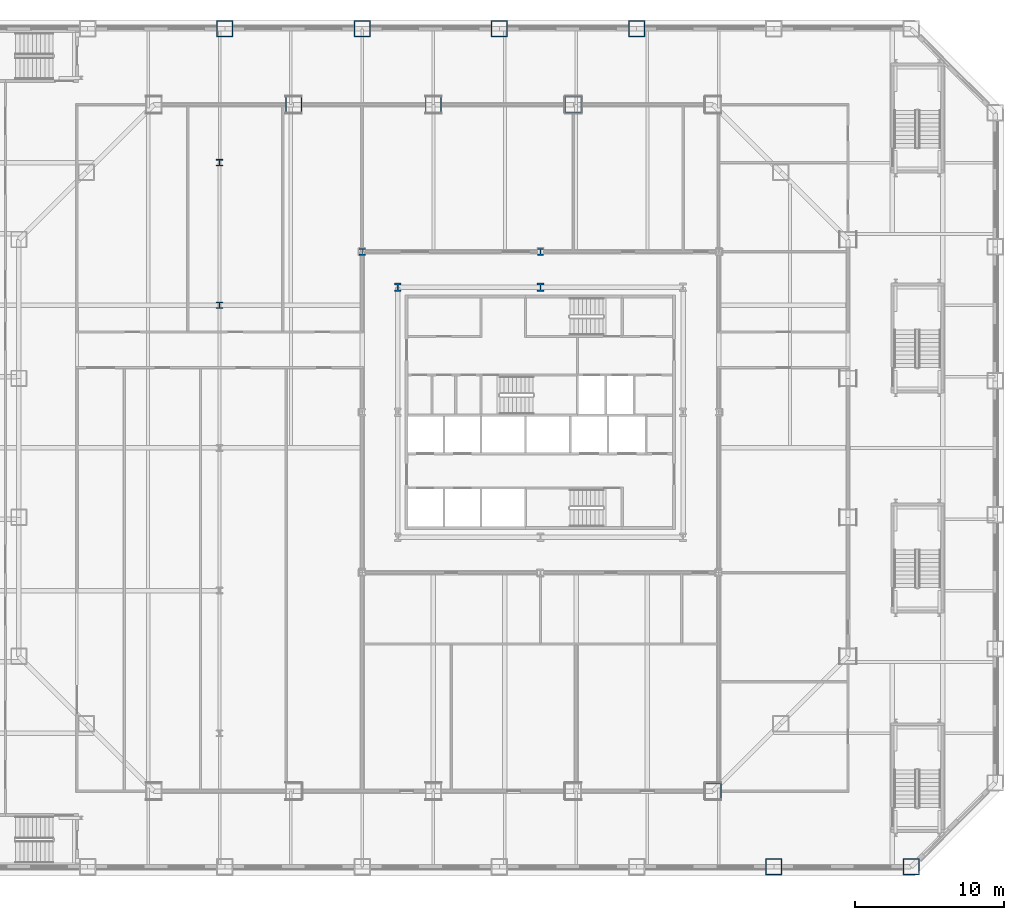
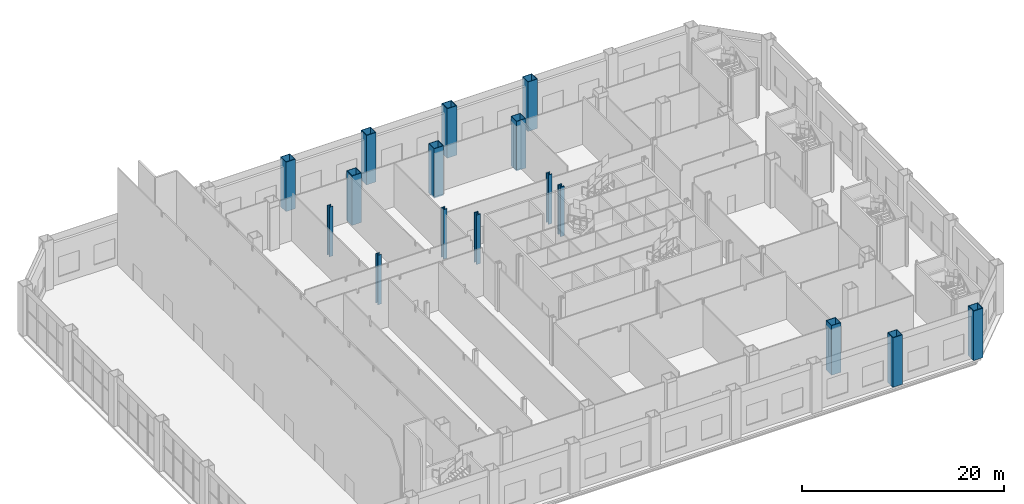
# One storey, part 4 of 31: 16 columns.
"""IFC4 building model written with IfcOpenShell, lengths in metres."""

from ifc_helpers import new_model, si_unit, direction, frame, origin, origin_2d, place, context, subcontext, project, spatial, hollow_rectangle, i_section, extrude, material, material_profile, profile_set, type_object, element, save


model = new_model("IFC4")

# Units and contexts
model_context = context("Model", 3, precision=1e-05, world=origin(), true_north=direction((0.0, 1.0)))
body_context = subcontext(model_context, "Body", "Model", "MODEL_VIEW")
ifc_project = project(units=[si_unit("LENGTHUNIT", "METRE"), si_unit("AREAUNIT", "SQUARE_METRE"), si_unit("VOLUMEUNIT", "CUBIC_METRE"), si_unit("PLANEANGLEUNIT", "RADIAN"), si_unit("MASSUNIT", "GRAM", prefix="KILO")], contexts=[model_context])

# Site, building, storey
site_placement = place(None, origin())
site = spatial("IfcSite", under=ifc_project, at=site_placement, CompositionType="ELEMENT")
building_placement = place(site_placement, origin())
building = spatial("IfcBuilding", under=site, at=building_placement, Name="Cairn Pilgrim Tower", CompositionType="ELEMENT")
storey_placement = place(building_placement, frame((0.0, 0.0, 9.0)))
storey = spatial("IfcBuildingStorey", under=building, at=storey_placement, Name="L01", CompositionType="ELEMENT", Elevation=9.0)

# Columns
ifc_material = material(Name="Structural steel S460M", Category="steel")
ifc_material_profile_1 = material_profile(ifc_material, hollow_rectangle(XDim=1.10009765625, YDim=1.10009765625, WallThickness=0.06005859375, at=origin_2d()), Name="BOX 1100x1100x60")
ifc_profile_set_1 = profile_set([ifc_material_profile_1], Name="Structural steel S460M")
column_type_1 = type_object("IfcColumnType", Name="BOX 1100x1100x60", PredefinedType="COLUMN", material=ifc_profile_set_1)
for number, where, z_axis, x_axis, name in (
    (1, (18.8271484375, -23.10009765625, -0.199951171875), (0.0, 0.0, 1.0), (1.0, 0.0, 0.0), "PC1-SE1"),
    (2, (9.41357421875, 23.10009765625, -0.199951171875), (0.0, 0.0, 1.0), (1.0, 0.0, 0.0), "PC1-N2"),
    (3, (0.0, 23.10009765625, -0.199951171875), (0.0, 0.0, 1.0), (1.0, 0.0, 0.0), "PC1-N3"),
    (4, (-9.41357421875, 23.10009765625, -0.199951171875), (0.0, 0.0, 1.0), (1.0, 0.0, 0.0), "PC1-N4"),
):
    element("IfcColumn", number, at=place(storey_placement, frame(where, z_axis=z_axis, x_axis=x_axis)), inside=storey, type_object=column_type_1, Name=name, PredefinedType="COLUMN", context=body_context, shape_type="SweptSolid", body=[
        extrude(hollow_rectangle(XDim=1.10009765625, YDim=1.10009765625, WallThickness=0.06005859375, at=origin_2d()), origin(), (0.0, 0.0, 1.0), 6.0),
    ])
ifc_material_profile_2 = material_profile(ifc_material, i_section(OverallWidth=0.4541015625, OverallDepth=0.569091796875, WebThickness=0.077880859375, FlangeThickness=0.125, FilletRadius=0.014892578125, at=origin_2d()), Name="HD 400x1086")
ifc_profile_set_2 = profile_set([ifc_material_profile_2], Name="Structural steel S460M")
column_type_2 = type_object("IfcColumnType", Name="HD 400x1086", PredefinedType="COLUMN", material=ifc_profile_set_2)
for number, where, z_axis, x_axis, name in (
    (5, (-2.39990234375, 10.800048828125, -0.199951171875), (0.0, 0.0, 1.0), (1.0, 0.0, 0.0), "KC-6"),
    (6, (7.199951171875, 10.800048828125, -0.199951171875), (0.0, 0.0, 1.0), (1.0, 0.0, 0.0), "KC-7"),
):
    element("IfcColumn", number, at=place(storey_placement, frame(where, z_axis=z_axis, x_axis=x_axis)), inside=storey, type_object=column_type_2, Name=name, PredefinedType="COLUMN", context=body_context, shape_type="SweptSolid", body=[
        extrude(i_section(OverallWidth=0.4541015625, OverallDepth=0.569091796875, WebThickness=0.077880859375, FlangeThickness=0.125, FilletRadius=0.014892578125, at=origin_2d()), origin(), (0.0, 0.0, 1.0), 6.0),
    ])
ifc_material_profile_3 = material_profile(ifc_material, i_section(OverallWidth=0.408935546875, OverallDepth=0.425048828125, WebThickness=0.03271484375, FlangeThickness=0.052490234375, FilletRadius=0.014892578125, at=origin_2d()), Name="HD 400x421")
ifc_profile_set_3 = profile_set([ifc_material_profile_3], Name="Structural steel S460M")
column_type_3 = type_object("IfcColumnType", Name="HD 400x421", PredefinedType="COLUMN", material=ifc_profile_set_3)
for number, where, z_axis, x_axis, name in (
    (7, (-14.39990234375, 9.60009765625, -0.199951171875), (0.0, 0.0, 1.0), (1.0, 0.0, 0.0), "WC-WW+2"),
    (8, (-14.39990234375, 19.199951171875, -0.199951171875), (0.0, 0.0, 1.0), (1.0, 0.0, 0.0), "WC-WW+4"),
):
    element("IfcColumn", number, at=place(storey_placement, frame(where, z_axis=z_axis, x_axis=x_axis)), inside=storey, type_object=column_type_3, Name=name, PredefinedType="COLUMN", context=body_context, shape_type="SweptSolid", body=[
        extrude(i_section(OverallWidth=0.408935546875, OverallDepth=0.425048828125, WebThickness=0.03271484375, FlangeThickness=0.052490234375, FilletRadius=0.014892578125, at=origin_2d()), origin(), (0.0, 0.0, 1.0), 6.0),
    ])
ifc_material_profile_4 = material_profile(ifc_material, i_section(OverallWidth=0.424072265625, OverallDepth=0.47412109375, WebThickness=0.047607421875, FlangeThickness=0.0771484375, FilletRadius=0.014892578125, at=origin_2d()), Name="HD 400x634")
ifc_profile_set_4 = profile_set([ifc_material_profile_4], Name="Structural steel S460M")
column_type_4 = type_object("IfcColumnType", Name="HD 400x634", PredefinedType="COLUMN", material=ifc_profile_set_4)
for number, where, z_axis, x_axis, name in (
    (9, (-4.800048828125, 13.199951171875, -0.199951171875), (0.0, 0.0, 1.0), (1.0, 0.0, 0.0), "IC-6"),
    (10, (7.199951171875, 13.199951171875, -0.199951171875), (0.0, 0.0, 1.0), (1.0, 0.0, 0.0), "IC-7"),
):
    element("IfcColumn", number, at=place(storey_placement, frame(where, z_axis=z_axis, x_axis=x_axis)), inside=storey, type_object=column_type_4, Name=name, PredefinedType="COLUMN", context=body_context, shape_type="SweptSolid", body=[
        extrude(i_section(OverallWidth=0.424072265625, OverallDepth=0.47412109375, WebThickness=0.047607421875, FlangeThickness=0.0771484375, FilletRadius=0.014892578125, at=origin_2d()), origin(), (0.0, 0.0, 1.0), 6.0),
    ])
ifc_material_profile_5 = material_profile(ifc_material, hollow_rectangle(XDim=1.10009765625, YDim=1.10009765625, WallThickness=0.06005859375, at=origin_2d()), Name="BOX 1100x1100x60")
ifc_profile_set_5 = profile_set([ifc_material_profile_5], Name="Structural steel S460M")
column_type_5 = type_object("IfcColumnType", Name="PILOTIS CFT 1100", PredefinedType="COLUMN", material=ifc_profile_set_5)
for number, where, z_axis, x_axis, name in (
    (11, (22.91357421875, -28.199951171875, 0.0), (0.0, 0.0, 1.0), (1.0, 0.0, 0.0), "PILOTIS PL-S8"),
    (12, (32.151611328125, -28.199951171875, 0.0), (0.0, 0.0, 1.0), (1.0, 0.0, 0.0), "PILOTIS PL-SE1"),
    (13, (13.67578125, 28.199951171875, 0.0), (0.0, 0.0, 1.0), (1.0, 0.0, 0.0), "PILOTIS PL-N3"),
    (14, (4.43798828125, 28.199951171875, 0.0), (0.0, 0.0, 1.0), (1.0, 0.0, 0.0), "PILOTIS PL-N4"),
    (15, (-4.800048828125, 28.199951171875, 0.0), (0.0, 0.0, 1.0), (1.0, 0.0, 0.0), "PILOTIS PL-N5"),
    (16, (-14.037841796875, 28.199951171875, 0.0), (0.0, 0.0, 1.0), (1.0, 0.0, 0.0), "PILOTIS PL-N6"),
):
    element("IfcColumn", number, at=place(storey_placement, frame(where, z_axis=z_axis, x_axis=x_axis)), inside=storey, type_object=column_type_5, Name=name, PredefinedType="COLUMN", context=body_context, shape_type="SweptSolid", body=[
        extrude(hollow_rectangle(XDim=1.10009765625, YDim=1.10009765625, WallThickness=0.06005859375, at=origin_2d()), origin(), (0.0, 0.0, 1.0), 6.0),
    ])

save(model, "model.ifc")
